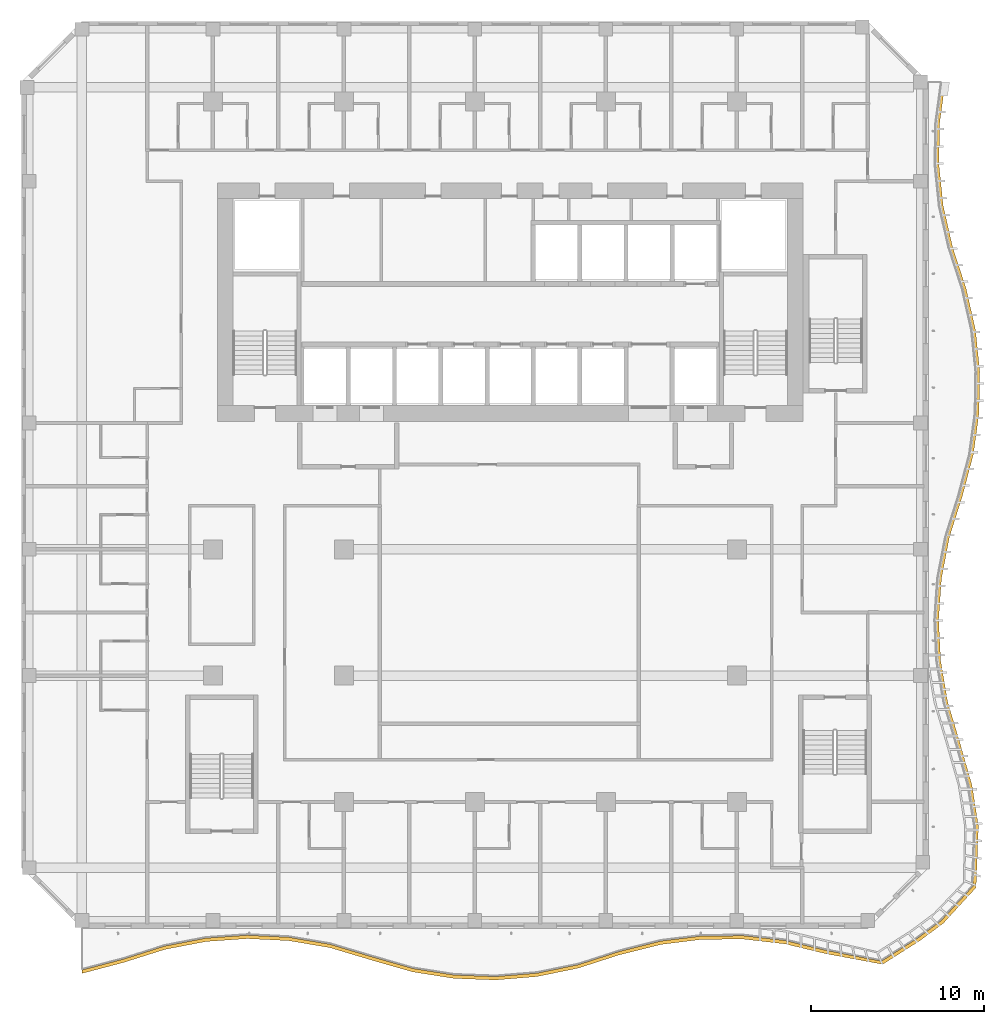
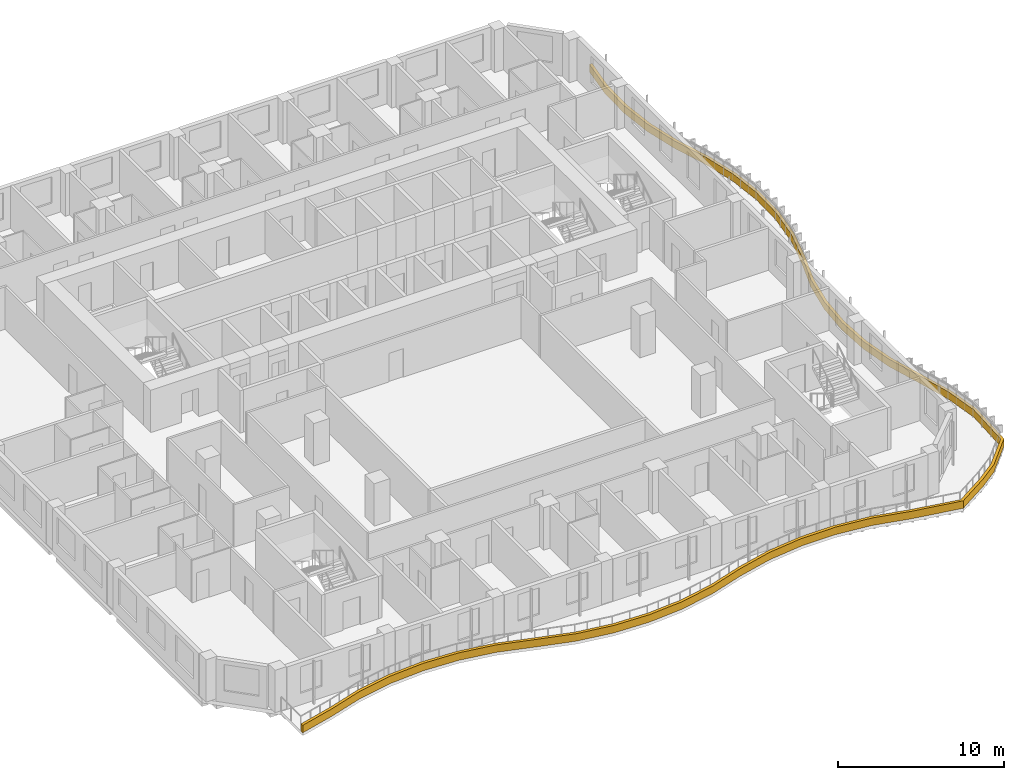
# One storey, part 16 of 23: 1 shading device.
"""IFC4 building model written with IfcOpenShell, lengths in metres."""

from ifc_helpers import new_model, si_unit, direction, frame, origin, place, context, subcontext, project, spatial, polyline, outline, extrude, source, transform, mapped, material, layer, layer_set, type_object, element, save


model = new_model("IFC4")

# Units and contexts
model_context = context("Model", 3, precision=1e-05, world=origin(), true_north=direction((0.0, 1.0)))
body_context = subcontext(model_context, "Body", "Model", "MODEL_VIEW")
ifc_project = project(units=[si_unit("LENGTHUNIT", "METRE"), si_unit("AREAUNIT", "SQUARE_METRE"), si_unit("VOLUMEUNIT", "CUBIC_METRE"), si_unit("PLANEANGLEUNIT", "RADIAN"), si_unit("MASSUNIT", "GRAM", prefix="KILO")], contexts=[model_context])

# Site, building, storey
site_placement = place(None, origin())
site = spatial("IfcSite", under=ifc_project, at=site_placement, CompositionType="ELEMENT")
building_placement = place(site_placement, origin())
building = spatial("IfcBuilding", under=site, at=building_placement, Name="Kilnfold Tower and Market Hall", CompositionType="ELEMENT")
storey_placement = place(building_placement, frame((0.0, 0.0, 150.699951171875)))
storey = spatial("IfcBuildingStorey", under=building, at=storey_placement, Name="L34", CompositionType="ELEMENT", Elevation=150.699951171875)

# Shading device
ifc_material = material(Name="Precast concrete C50/60", Category="concrete")
ifc_layer = layer(ifc_material, 0.550048828125)
ifc_layer_set = layer_set([ifc_layer], Name="Precast concrete C50/60")
shading_device_type = type_object("IfcShadingDeviceType", Name="BALCONY UPSTAND 550", PredefinedType="USERDEFINED", material=ifc_layer_set)
shared_shape = source(origin(), body_context, "Body", "SweptSolid", [
    extrude(outline(polyline([(-23.75, -23.8662109375), (-21.355224609375, -23.2373046875), (-18.96044921875, -22.47998046875), (-16.56591796875, -22.01904296875), (-14.171142578125, -21.85107421875), (-11.7763671875, -21.968505859375), (-9.381591796875, -22.376220703125), (-6.98681640625, -23.092529296875), (-4.592041015625, -23.777587890625), (-2.197509765625, -24.156005859375), (0.197509765625, -24.2451171875), (2.592041015625, -24.048583984375), (4.98681640625, -23.557861328125), (7.381591796875, -22.785888671875), (9.7763671875, -22.188232421875), (12.171142578125, -21.890869140625), (14.56591796875, -21.880615234375), (16.96044921875, -22.156982421875), (19.355224609375, -22.732177734375), (22.614990234375, -23.33837890625), (24.78759765625, -21.954345703125), (26.126220703125, -20.959716796875), (28.0166015625, -18.89599609375), (28.1572265625, -15.355224609375), (27.780517578125, -12.96044921875), (27.09716796875, -10.56591796875), (26.37939453125, -8.171142578125), (25.969970703125, -5.7763671875), (25.85107421875, -3.381591796875), (26.017333984375, -0.98681640625), (26.4765625, 1.407958984375), (27.23291015625, 3.802490234375), (27.863525390625, 6.197509765625), (28.191650390625, 8.592041015625), (28.231689453125, 10.98681640625), (27.985595703125, 13.381591796875), (27.442626953125, 15.7763671875), (26.6611328125, 18.171142578125), (26.116455078125, 20.56591796875), (25.868896484375, 22.96044921875), (25.907470703125, 25.355224609375), (26.23388671875, 27.75), (26.03369140625, 27.75), (25.70751953125, 25.355224609375), (25.6689453125, 22.96044921875), (25.91650390625, 20.56591796875), (26.461181640625, 18.171142578125), (27.24267578125, 15.7763671875), (27.78564453125, 13.381591796875), (28.031494140625, 10.98681640625), (27.99169921875, 8.592041015625), (27.66357421875, 6.197509765625), (27.032958984375, 3.802490234375), (26.276611328125, 1.407958984375), (25.8173828125, -0.98681640625), (25.65087890625, -3.381591796875), (25.77001953125, -5.7763671875), (26.17919921875, -8.171142578125), (26.897216796875, -10.56591796875), (27.580322265625, -12.96044921875), (27.957275390625, -15.355224609375), (27.831787109375, -18.819580078125), (25.98486328125, -20.818115234375), (24.646240234375, -21.81298828125), (22.53857421875, -23.153564453125), (19.355224609375, -22.5322265625), (16.96044921875, -21.956787109375), (14.56591796875, -21.6806640625), (12.171142578125, -21.69091796875), (9.7763671875, -21.98828125), (7.381591796875, -22.5859375), (4.98681640625, -23.35791015625), (2.592041015625, -23.848388671875), (0.197509765625, -24.044921875), (-2.197509765625, -23.9560546875), (-4.592041015625, -23.57763671875), (-6.98681640625, -22.892578125), (-9.381591796875, -22.17626953125), (-11.7763671875, -21.7685546875), (-14.171142578125, -21.651123046875), (-16.56591796875, -21.819091796875), (-18.96044921875, -22.27978515625), (-21.355224609375, -23.037353515625), (-23.75, -23.666259765625), (-23.75, -23.8662109375)])), origin(), (0.0, 0.0, 1.0), 0.550048828125),
])
shading_device_placement = place(storey_placement, origin())
element("IfcShadingDevice", 1, at=shading_device_placement, inside=storey, type_object=shading_device_type, Name="Balcony fascia L34", ObjectType="FASCIA", PredefinedType="USERDEFINED", context=body_context, shape_type="MappedRepresentation", body=[
    mapped(shared_shape, transform((0.0, 0.0, 0.0))),
])

save(model, "model.ifc")
